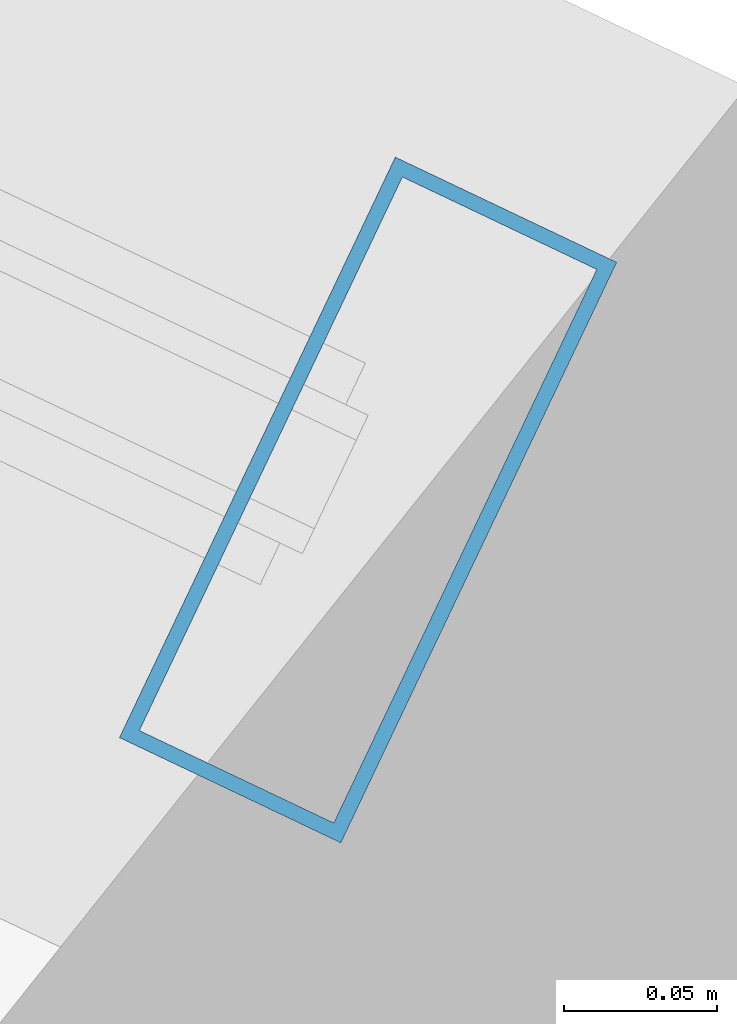
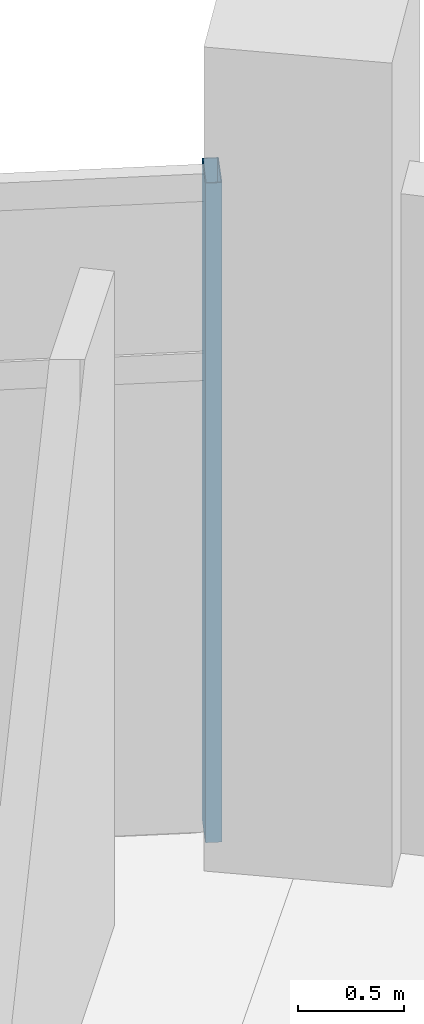
# One storey, part 115 of 171: 1 member, 1 element without a shape of its own.
"""IFC4 building model written with IfcOpenShell, lengths in metres."""

from ifc_helpers import new_model, si_unit, direction, frame, origin, origin_2d, place, context, subcontext, project, spatial, hollow_rectangle, extrude, material, layer, layer_set, material_profile, profile_set, type_object, element, aggregate, save


model = new_model("IFC4")

# Units and contexts
model_context = context("Model", 3, precision=1e-05, world=origin(), true_north=direction((0.0, 1.0)))
body_context = subcontext(model_context, "Body", "Model", "MODEL_VIEW")
ifc_project = project(units=[si_unit("LENGTHUNIT", "METRE"), si_unit("AREAUNIT", "SQUARE_METRE"), si_unit("VOLUMEUNIT", "CUBIC_METRE"), si_unit("PLANEANGLEUNIT", "RADIAN"), si_unit("MASSUNIT", "GRAM", prefix="KILO")], contexts=[model_context])

# Site, building, storey
site_placement = place(None, origin())
site = spatial("IfcSite", under=ifc_project, at=site_placement, CompositionType="ELEMENT")
building_placement = place(site_placement, origin())
building = spatial("IfcBuilding", under=site, at=building_placement, Name="Kazemori Nagisa Stadium", CompositionType="ELEMENT")
storey_placement = place(building_placement, frame((0.0, 0.0, 15.639892578125)))
storey = spatial("IfcBuildingStorey", under=building, at=storey_placement, Name="L03", CompositionType="ELEMENT", Elevation=15.639892578125)

# Curtain wall, member
ifc_material_1 = material(Name="Anodised aluminium 6063-T5", Category="aluminium")
ifc_layer = layer(ifc_material_1, 0.2099609375, Name="Anodised aluminium 6063-T5", Category="aluminium")
ifc_layer_set = layer_set([ifc_layer], Name="Anodised aluminium 6063-T5")
curtain_wall_type = type_object("IfcCurtainWallType", Name="CW_L03R3_105", PredefinedType="USERDEFINED", material=ifc_layer_set)
curtain_wall_placement = place(storey_placement, origin())
curtain_wall = element("IfcCurtainWall", 1, at=curtain_wall_placement, inside=storey, type_object=curtain_wall_type, Name="Unitised curtain wall CW-L03R3-105 L03", ObjectType="UNITISED CURTAIN WALL", PredefinedType="USERDEFINED")
ifc_material_2 = material(Name="Aluminium 6063-T5 anodised", Category="aluminium")
ifc_material_profile = material_profile(ifc_material_2, hollow_rectangle(XDim=0.080078125, YDim=0.2099609375, WallThickness=0.0048828125, at=origin_2d()), Name="ALU-MULL-80x210x5")
ifc_profile_set = profile_set([ifc_material_profile], Name="Aluminium 6063-T5 anodised")
member_type = type_object("IfcMemberType", Name="Mullion_M02", PredefinedType="MULLION", material=ifc_profile_set)
member_placement = place(storey_placement, frame((185.1689453125, 173.262939453125, 0.0), z_axis=(0.0, 0.0, 1.0), x_axis=(-0.903215892654, 0.429186499388, 0.0)))
member = element("IfcMember", 2, at=member_placement, type_object=member_type, Name="Curtain wall mullion CW-L03R3-105-M1", PredefinedType="MULLION", context=body_context, shape_type="SweptSolid", body=[
    extrude(hollow_rectangle(XDim=0.080078125, YDim=0.2099609375, WallThickness=0.0048828125, at=origin_2d()), origin(), (0.0, 0.0, 1.0), 3.81005859375),
])
aggregate(curtain_wall, [member])

save(model, "model.ifc")
